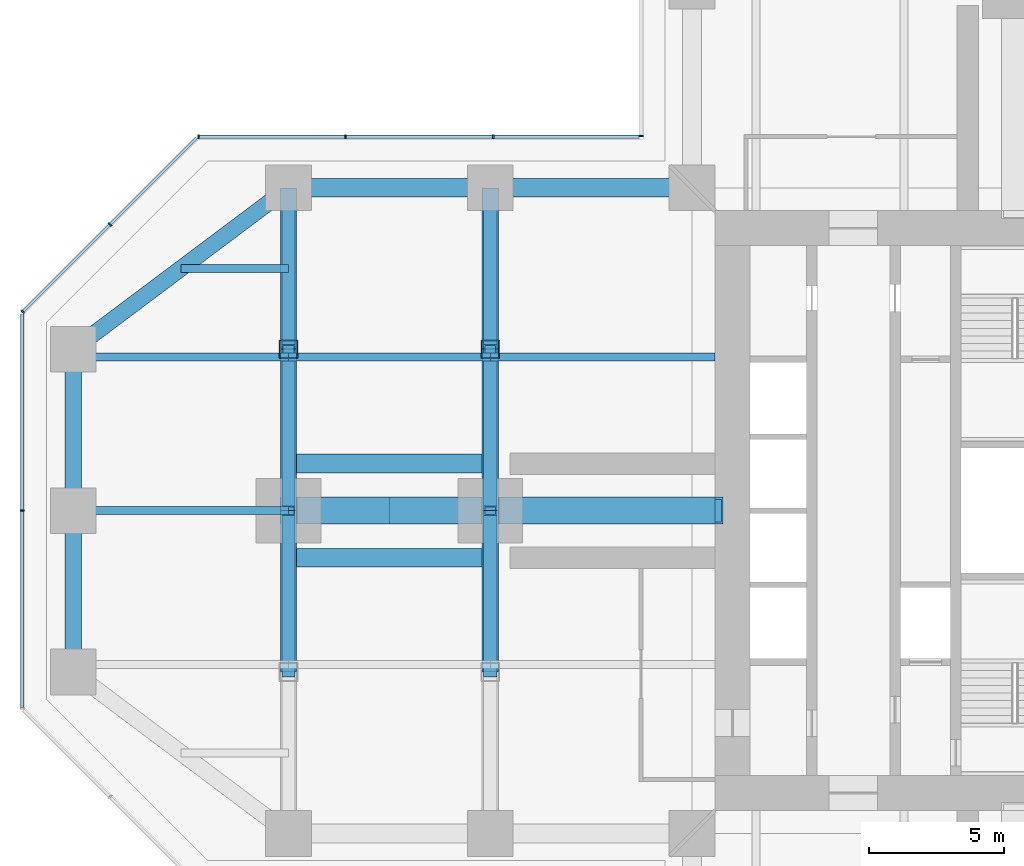
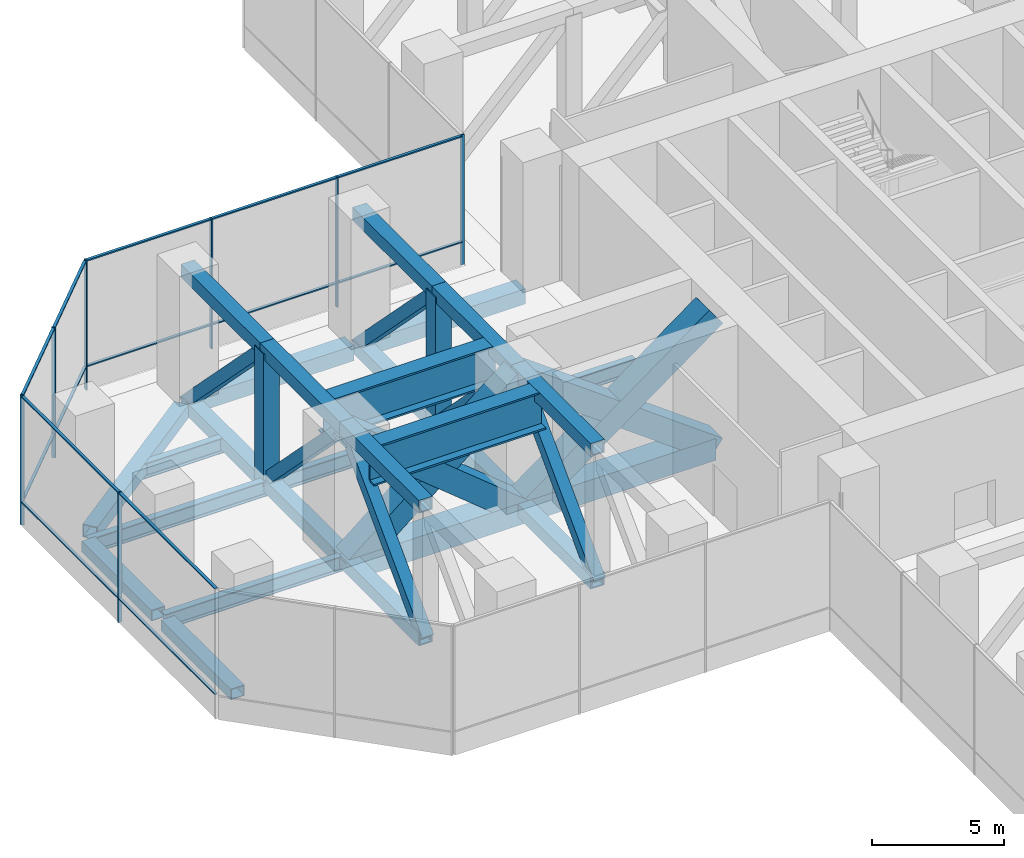
# One storey, part 6 of 19: 45 members, 14 beams, 4 elements without a shape of their own.
"""IFC4 building model written with IfcOpenShell, lengths in metres."""

import ifcopenshell
import ifcopenshell.guid

model = None  # the IFC model being written
_history = None  # IfcOwnerHistory: only IFC2X3 demands one
_inside = {}  # id of a spatial element -> (the spatial element, [elements in it])
_under = {}  # id of a project, library or spatial element -> (it, [spatial elements below it])
_declared = {}  # id of a project -> (the project, [libraries it declares])
_typed = {}  # id of a type object -> (the type object, [elements of that type])
_made_of = {}  # id of a material, layer set ... -> (it, [elements and type objects made of it])


def new_model(schema):
    """Start an empty IFC model of exactly this schema.

    Asked for "IFC4X3", IfcOpenShell would pick the latest addendum, in which some entities
    have other attributes; the version numbers below select the first issue.
    IFC2X3 requires an IfcOwnerHistory on every rooted entity: one is made here for all.
    """
    global model, _history
    if schema == "IFC4X3":
        model = ifcopenshell.file(schema_version=(4, 3, 0, 0))
    else:
        model = ifcopenshell.file(schema=schema)
    _inside.clear()
    _under.clear()
    _declared.clear()
    _typed.clear()
    _made_of.clear()
    _history = None
    if model.schema == "IFC2X3":
        org = make("IfcOrganization", Name="unknown")
        user = make(
            "IfcPersonAndOrganization",
            ThePerson=make("IfcPerson", FamilyName="unknown"),
            TheOrganization=org,
        )
        app = make(
            "IfcApplication",
            ApplicationDeveloper=org,
            Version="unknown",
            ApplicationFullName="unknown",
            ApplicationIdentifier="unknown",
        )
        _history = make(
            "IfcOwnerHistory",
            OwningUser=user,
            OwningApplication=app,
            ChangeAction="ADDED",
            CreationDate=0,
        )
    return model


def make(cls, **values):
    """One entity of the class cls with the attributes given. An attribute that is None is left unset."""
    return model.create_entity(
        cls, **{name: value for name, value in values.items() if value is not None}
    )


def rooted(cls, **values):
    """An entity with a GlobalId (a new one), such as an element, a storey or a relation."""
    return make(cls, GlobalId=ifcopenshell.guid.new(), OwnerHistory=_history, **values)


def si_unit(unit_type, name, prefix=None):
    """IfcSIUnit, for example si_unit("LENGTHUNIT", "METRE", prefix="MILLI")."""
    return make("IfcSIUnit", UnitType=unit_type, Prefix=prefix, Name=name)


def assignment(units):
    """IfcUnitAssignment: the units of a project."""
    return None if units is None else make("IfcUnitAssignment", Units=units)


def point(xyz):
    """IfcCartesianPoint."""
    return None if xyz is None else make("IfcCartesianPoint", Coordinates=xyz)


def direction(xyz):
    """IfcDirection."""
    return None if xyz is None else make("IfcDirection", DirectionRatios=xyz)


def frame(location, z_axis=None, x_axis=None):
    """IfcAxis2Placement3D, a coordinate frame: its origin and axes. An axis left out is left unset."""
    return make(
        "IfcAxis2Placement3D",
        Location=point(location),
        Axis=direction(z_axis),
        RefDirection=direction(x_axis),
    )


def frame_2d(location, x_axis=None):
    """IfcAxis2Placement2D, a coordinate frame in the plane: its origin and x axis."""
    return make(
        "IfcAxis2Placement2D", Location=point(location), RefDirection=direction(x_axis)
    )


def origin():
    """The frame at (0, 0, 0) with its axes left unset."""
    return frame((0.0, 0.0, 0.0))


def origin_2d():
    """The frame at (0, 0) in the plane with its x axis left unset."""
    return frame_2d((0.0, 0.0))


def place(relative_to, where):
    """IfcLocalPlacement: puts the frame where relative to a parent placement (None: the world)."""
    return make(
        "IfcLocalPlacement", PlacementRelTo=relative_to, RelativePlacement=where
    )


def context(
    kind, dimensions, precision=None, world=None, true_north=None, identifier=None
):
    """IfcGeometricRepresentationContext, for example the 3D "Model" context."""
    return make(
        "IfcGeometricRepresentationContext",
        ContextIdentifier=identifier,
        ContextType=kind,
        CoordinateSpaceDimension=dimensions,
        Precision=precision,
        WorldCoordinateSystem=world,
        TrueNorth=true_north,
    )


def subcontext(parent, identifier, kind, view, scale=None):
    """IfcGeometricRepresentationSubContext, for example "Body" below "Model"."""
    return make(
        "IfcGeometricRepresentationSubContext",
        ContextIdentifier=identifier,
        ContextType=kind,
        ParentContext=parent,
        TargetScale=scale,
        TargetView=view,
    )


def project(units=None, contexts=None):
    """IfcProject with its units and contexts."""
    return rooted(
        "IfcProject",
        Name="project",
        RepresentationContexts=contexts,
        UnitsInContext=assignment(units),
    )


def spatial(cls, under=None, at=None, **own):
    """A site, building, storey or space (cls), placed at a placement, below another one or the project."""
    s = rooted(cls, ObjectPlacement=at, **own)
    if under is not None:
        _under.setdefault(under.id(), (under, []))[1].append(s)
    return s


def profile(cls, at=None, kind="AREA", **sizes):
    """A parametric profile (cls). Its sizes go by their IFC names, for example OverallWidth=200.0."""
    return make(cls, ProfileType=kind, Position=at, **sizes)


def rectangle(**sizes):
    """IfcRectangleProfileDef."""
    return profile("IfcRectangleProfileDef", **sizes)


def hollow_rectangle(**sizes):
    """IfcRectangleHollowProfileDef."""
    return profile("IfcRectangleHollowProfileDef", **sizes)


def i_section(**sizes):
    """IfcIShapeProfileDef."""
    return profile("IfcIShapeProfileDef", **sizes)


def extrude(swept, where, along, depth):
    """IfcExtrudedAreaSolid: the profile swept, set in the frame where, extruded along a direction by depth."""
    return make(
        "IfcExtrudedAreaSolid",
        SweptArea=swept,
        Position=where,
        ExtrudedDirection=direction(along),
        Depth=depth,
    )


def shape(context_of_items, identifier, shape_type, items):
    """IfcShapeRepresentation: the items that make up one representation, for example the "Body"."""
    return make(
        "IfcShapeRepresentation",
        ContextOfItems=context_of_items,
        RepresentationIdentifier=identifier,
        RepresentationType=shape_type,
        Items=items,
    )


def material(Name=None, Category=None):
    """IfcMaterial."""
    return make("IfcMaterial", Name=Name, Category=Category)


def material_profile(
    of_material, cross_section, Name=None, Category=None, Priority=None
):
    """IfcMaterialProfile: a cross section and its material."""
    return make(
        "IfcMaterialProfile",
        Name=Name,
        Material=of_material,
        Profile=cross_section,
        Priority=Priority,
        Category=Category,
    )


def profile_set(profiles, Name=None, composite=None):
    """IfcMaterialProfileSet."""
    return make(
        "IfcMaterialProfileSet",
        Name=Name,
        MaterialProfiles=profiles,
        CompositeProfile=composite,
    )


def made_of(thing, what):
    """Note that an element or type object is made of a material, layer set ...; save() writes the relation."""
    if what is not None:
        _made_of.setdefault(what.id(), (what, []))[1].append(thing)
    return thing


def type_object(cls, material=None, **own):
    """A type object (cls), such as IfcWallType, which elements share."""
    return made_of(rooted(cls, **own), material)


def element(
    cls,
    number,
    at=None,
    inside=None,
    cuts=None,
    type_object=None,
    material=None,
    context=None,
    identifier="Body",
    shape_type=None,
    held_by="IfcProductDefinitionShape",
    body=None,
    shapes=None,
    **own,
):
    """One element of the class cls, such as IfcWall. Its Tag is "e" and its number.

    at: its placement. inside: the storey or other place that contains it. cuts: it is an
    opening in that element (IfcRelVoidsElement). A single representation is given by context,
    identifier, shape_type and body (its items); several are given by shapes. held_by: the class
    of the entity that holds the representations. save() writes the other relations.
    """
    e = rooted(cls, Tag="e%d" % number, ObjectPlacement=at, **own)
    if body is not None:
        shapes = [shape(context, identifier, shape_type, body)]
    if shapes is not None:
        e.Representation = make(held_by, Representations=shapes)
    if inside is not None:
        _inside.setdefault(inside.id(), (inside, []))[1].append(e)
    if cuts is not None:
        rooted(
            "IfcRelVoidsElement", RelatingBuildingElement=cuts, RelatedOpeningElement=e
        )
    if type_object is not None:
        _typed.setdefault(type_object.id(), (type_object, []))[1].append(e)
    return made_of(e, material)


def aggregate(whole, parts):
    """IfcRelAggregates: a whole, such as a stair, and the parts it consists of."""
    return rooted("IfcRelAggregates", RelatingObject=whole, RelatedObjects=parts)


def save(model, path):
    """Write the relations noted so far, then the file.

    IfcRelAggregates (storeys below a building ...), IfcRelContainedInSpatialStructure (elements
    in a storey), IfcRelDefinesByType, IfcRelAssociatesMaterial and IfcRelDeclares: one each for
    every whole, place, type object, material and project.
    """
    for whole, parts in _under.values():
        aggregate(whole, parts)
    for where, things in _inside.values():
        rooted(
            "IfcRelContainedInSpatialStructure",
            RelatedElements=things,
            RelatingStructure=where,
        )
    for kind, things in _typed.values():
        rooted("IfcRelDefinesByType", RelatedObjects=things, RelatingType=kind)
    for what, things in _made_of.values():
        rooted("IfcRelAssociatesMaterial", RelatedObjects=things, RelatingMaterial=what)
    for by, libraries in _declared.values():
        rooted("IfcRelDeclares", RelatingContext=by, RelatedDefinitions=libraries)
    model.write(path)


model = new_model("IFC4")

# Units and contexts
model_context = context("Model", 3, precision=1e-05, world=origin(), true_north=direction((0.0, 1.0)))
body_context = subcontext(model_context, "Body", "Model", "MODEL_VIEW")
ifc_project = project(units=[si_unit("LENGTHUNIT", "METRE"), si_unit("AREAUNIT", "SQUARE_METRE"), si_unit("VOLUMEUNIT", "CUBIC_METRE"), si_unit("PLANEANGLEUNIT", "RADIAN"), si_unit("MASSUNIT", "GRAM", prefix="KILO")], contexts=[model_context])

# Site, building, storey
site_placement = place(None, origin())
site = spatial("IfcSite", under=ifc_project, at=site_placement, CompositionType="ELEMENT")
building_placement = place(site_placement, origin())
building = spatial("IfcBuilding", under=site, at=building_placement, Name="Mizan Broadcast Tower", CompositionType="ELEMENT")
storey_placement = place(building_placement, frame((0.0, 0.0, 37.5)))
storey = spatial("IfcBuildingStorey", under=building, at=storey_placement, Name="L06", CompositionType="ELEMENT", Elevation=37.5)

# Members
ifc_material_1 = material(Name="Steel S460", Category="steel")
ifc_material_profile_1 = material_profile(ifc_material_1, hollow_rectangle(XDim=0.60009765625, YDim=0.60009765625, WallThickness=0.06005859375, at=origin_2d()), Name="BOX 600x600x60")
ifc_profile_set_1 = profile_set([ifc_material_profile_1], Name="Steel S460")
member_type_1 = type_object("IfcMemberType", Name="BELT TRUSS BT1 CHORD BOX 600x600x60", PredefinedType="CHORD", material=ifc_profile_set_1)
for number, where, z_axis, x_axis, name in (
    (1, (-19.5, 12.0, -0.550048828125), (0.0, -1.0, 0.0), (1.0, 0.0, 0.0), "Belt truss BT1-W19 bottom chord 1"),
    (2, (-19.5, 12.0, 5.570068359375), (0.0, -1.0, 0.0), (1.0, 0.0, 0.0), "Belt truss BT1-W19 top chord 1"),
    (3, (-19.5, 6.0, -0.550048828125), (0.0, -1.0, 0.0), (1.0, 0.0, 0.0), "Belt truss BT1-W19 bottom chord 2"),
    (4, (-19.5, 6.0, 5.570068359375), (0.0, -1.0, 0.0), (1.0, 0.0, 0.0), "Belt truss BT1-W19 top chord 2"),
    (5, (-19.5, 0.0, -0.550048828125), (0.0, -1.0, 0.0), (1.0, 0.0, 0.0), "Belt truss BT1-W19 bottom chord 3"),
    (6, (-19.5, 0.0, 5.570068359375), (0.0, -1.0, 0.0), (1.0, 0.0, 0.0), "Belt truss BT1-W19 top chord 3"),
    (7, (-27.0, 12.0, -0.550048828125), (0.0, -1.0, 0.0), (1.0, 0.0, 0.0), "Belt truss BT1-W27 bottom chord 1"),
    (8, (-27.0, 12.0, 5.570068359375), (0.0, -1.0, 0.0), (1.0, 0.0, 0.0), "Belt truss BT1-W27 top chord 1"),
    (9, (-27.0, 6.0, -0.550048828125), (0.0, -1.0, 0.0), (1.0, 0.0, 0.0), "Belt truss BT1-W27 bottom chord 2"),
    (10, (-27.0, 6.0, 5.570068359375), (0.0, -1.0, 0.0), (1.0, 0.0, 0.0), "Belt truss BT1-W27 top chord 2"),
    (11, (-27.0, 0.0, -0.550048828125), (0.0, -1.0, 0.0), (1.0, 0.0, 0.0), "Belt truss BT1-W27 bottom chord 3"),
    (12, (-27.0, 0.0, 5.570068359375), (0.0, -1.0, 0.0), (1.0, 0.0, 0.0), "Belt truss BT1-W27 top chord 3"),
):
    element("IfcMember", number, at=place(storey_placement, frame(where, z_axis=z_axis, x_axis=x_axis)), inside=storey, type_object=member_type_1, Name=name, PredefinedType="CHORD", context=body_context, shape_type="SweptSolid", body=[
        extrude(hollow_rectangle(XDim=0.60009765625, YDim=0.60009765625, WallThickness=0.06005859375, at=origin_2d()), origin(), (0.0, 0.0, 1.0), 6.0),
    ])
ifc_material_2 = material(Name="Steel S460", Category="steel")
ifc_material_profile_2 = material_profile(ifc_material_2, hollow_rectangle(XDim=0.5, YDim=0.5, WallThickness=0.050048828125, at=origin_2d()), Name="BOX 500x500x50")
ifc_profile_set_2 = profile_set([ifc_material_profile_2], Name="Steel S460")
member_type_2 = type_object("IfcMemberType", Name="BELT TRUSS BT1 DIAGONAL BOX 500x500x50", PredefinedType="BRACE", material=ifc_profile_set_2)
for number, where, z_axis, x_axis, name in (
    (13, (-19.5, 12.0, -0.550048828125), (0.0, -0.700064575666, 0.714079540316), (1.0, 0.0, 0.0), "Belt truss BT1-W19 diagonal 1"),
    (14, (-19.5, 6.0, -0.550048828125), (0.0, -0.700064575666, 0.714079540316), (1.0, 0.0, 0.0), "Belt truss BT1-W19 diagonal 2"),
    (15, (-19.5, -6.0, -0.550048828125), (0.0, 0.700064575666, 0.714079540316), (-1.0, 0.0, 0.0), "Belt truss BT1-W19 diagonal 3"),
    (16, (-27.0, 12.0, -0.550048828125), (0.0, -0.700064575666, 0.714079540316), (1.0, 0.0, 0.0), "Belt truss BT1-W27 diagonal 1"),
    (17, (-27.0, 6.0, -0.550048828125), (0.0, -0.700064575666, 0.714079540316), (1.0, 0.0, 0.0), "Belt truss BT1-W27 diagonal 2"),
    (18, (-27.0, -6.0, -0.550048828125), (0.0, 0.700064575666, 0.714079540316), (-1.0, 0.0, 0.0), "Belt truss BT1-W27 diagonal 3"),
):
    element("IfcMember", number, at=place(storey_placement, frame(where, z_axis=z_axis, x_axis=x_axis)), inside=storey, type_object=member_type_2, Name=name, PredefinedType="BRACE", context=body_context, shape_type="SweptSolid", body=[
        extrude(hollow_rectangle(XDim=0.5, YDim=0.5, WallThickness=0.050048828125, at=origin_2d()), origin(), (0.0, 0.0, 1.0), 8.570556640625),
    ])
ifc_material_3 = material(Name="Steel S460", Category="steel")
ifc_material_profile_3 = material_profile(ifc_material_3, hollow_rectangle(XDim=0.699951171875, YDim=0.699951171875, WallThickness=0.0400390625, at=origin_2d()), Name="BOX 700x700x40")
ifc_profile_set_3 = profile_set([ifc_material_profile_3], Name="Steel S460")
member_type_3 = type_object("IfcMemberType", Name="BELT TRUSS BT1 POST BOX 700x700x40", PredefinedType="POST", material=ifc_profile_set_3)
for number, where, z_axis, x_axis, name in (
    (19, (-19.5, 6.0, -0.550048828125), (0.0, 0.0, 1.0), (1.0, 0.0, 0.0), "Belt truss BT1-W19 post 1"),
    (20, (-27.0, 6.0, -0.550048828125), (0.0, 0.0, 1.0), (1.0, 0.0, 0.0), "Belt truss BT1-W27 post 1"),
):
    element("IfcMember", number, at=place(storey_placement, frame(where, z_axis=z_axis, x_axis=x_axis)), inside=storey, type_object=member_type_3, Name=name, PredefinedType="POST", context=body_context, shape_type="SweptSolid", body=[
        extrude(hollow_rectangle(XDim=0.699951171875, YDim=0.699951171875, WallThickness=0.0400390625, at=origin_2d()), origin(), (0.0, 0.0, 1.0), 6.1201171875),
    ])

# Beams
ifc_material_4 = material(Name="Steel S355", Category="steel")
ifc_material_profile_4 = material_profile(ifc_material_4, hollow_rectangle(XDim=0.60009765625, YDim=0.5, WallThickness=0.030029296875, at=origin_2d()), Name="BOX 500x600x30")
ifc_profile_set_4 = profile_set([ifc_material_profile_4], Name="Steel S355")
beam_type_1 = type_object("IfcBeamType", Name="EDGE BEAM BOX 500x600x30", PredefinedType="SPANDREL", material=ifc_profile_set_4)
for number, where, z_axis, x_axis, name in (
    (21, (-35.0, 5.639892578125, -0.5), (0.0, -1.0, 0.0), (1.0, 0.0, 0.0), "Edge beam BOX 500x600x30 L06 west arm"),
    (22, (-35.0, -5.639892578125, -0.5), (0.0, 1.0, 0.0), (-1.0, 0.0, 0.0), "Edge beam BOX 500x600x30 L06 west arm"),
):
    element("IfcBeam", number, at=place(storey_placement, frame(where, z_axis=z_axis, x_axis=x_axis)), inside=storey, type_object=beam_type_1, Name=name, PredefinedType="SPANDREL", context=body_context, shape_type="SweptSolid", body=[
        extrude(hollow_rectangle(XDim=0.60009765625, YDim=0.5, WallThickness=0.030029296875, at=origin_2d()), origin(), (0.0, 0.0, 1.0), 5.27978515625),
    ])
ifc_material_5 = material(Name="Steel S355", Category="steel")
ifc_material_profile_5 = material_profile(ifc_material_5, hollow_rectangle(XDim=0.60009765625, YDim=0.60009765625, WallThickness=0.030029296875, at=origin_2d()), Name="BOX 600x600x30")
ifc_profile_set_5 = profile_set([ifc_material_profile_5], Name="Steel S355")
beam_type_2 = type_object("IfcBeamType", Name="EDGE BEAM BOX 600x600x30", PredefinedType="SPANDREL", material=ifc_profile_set_5)
beam_1_placement = place(storey_placement, frame((-27.47998046875, 11.639892578125, -0.550048828125), z_axis=(-0.800013316712, -0.599982243973, 0.0), x_axis=(0.599982243973, -0.800013316712, 0.0)))
element("IfcBeam", 23, at=beam_1_placement, inside=storey, type_object=beam_type_2, Name="Edge beam BOX 600x600x30 L06 west arm", PredefinedType="SPANDREL", context=body_context, shape_type="SweptSolid", body=[
    extrude(hollow_rectangle(XDim=0.60009765625, YDim=0.60009765625, WallThickness=0.030029296875, at=origin_2d()), origin(), (0.0, 0.0, 1.0), 8.7998046875),
])
ifc_material_6 = material(Name="Steel S355", Category="steel")
ifc_material_profile_6 = material_profile(ifc_material_6, hollow_rectangle(XDim=0.699951171875, YDim=0.699951171875, WallThickness=0.0400390625, at=origin_2d()), Name="BOX 700x700x40")
ifc_profile_set_6 = profile_set([ifc_material_profile_6], Name="Steel S355")
beam_type_3 = type_object("IfcBeamType", Name="EDGE BEAM BOX 700x700x40", PredefinedType="SPANDREL", material=ifc_profile_set_6)
for number, where, z_axis, x_axis, name in (
    (24, (-12.449951171875, 12.0, -0.60009765625), (-1.0, 0.0, 0.0), (0.0, -1.0, 0.0), "Edge beam BOX 700x700x40 L06 west arm"),
    (25, (-19.949951171875, 12.0, -0.60009765625), (-1.0, 0.0, 0.0), (0.0, -1.0, 0.0), "Edge beam BOX 700x700x40 L06 west arm"),
):
    element("IfcBeam", number, at=place(storey_placement, frame(where, z_axis=z_axis, x_axis=x_axis)), inside=storey, type_object=beam_type_3, Name=name, PredefinedType="SPANDREL", context=body_context, shape_type="SweptSolid", body=[
        extrude(hollow_rectangle(XDim=0.699951171875, YDim=0.699951171875, WallThickness=0.0400390625, at=origin_2d()), origin(), (0.0, 0.0, 1.0), 6.60009765625),
    ])

# Curtain wall, member
ifc_material_7 = material(Name="Aluminium framed glazing", Category="aluminium")
curtain_wall_type = type_object("IfcCurtainWallType", Name="PLANT LOUVRE", PredefinedType="USERDEFINED", material=ifc_material_7)
curtain_wall_1_placement = place(storey_placement, origin())
curtain_wall_1 = element("IfcCurtainWall", 26, at=curtain_wall_1_placement, inside=storey, type_object=curtain_wall_type, Name="Plant louvre L06 N side", ObjectType="PLANT LOUVRE", PredefinedType="USERDEFINED")
ifc_material_8 = material(Name="Aluminium, pale anodised", Category="aluminium")
ifc_material_profile_7 = material_profile(ifc_material_8, rectangle(XDim=0.159912109375, YDim=0.06005859375, at=origin_2d()), Name="MULLION 160x60")
ifc_profile_set_7 = profile_set([ifc_material_profile_7], Name="Aluminium, pale anodised")
member_type_4 = type_object("IfcMemberType", Name="INNER SKIN MULLION 60x160", PredefinedType="MULLION", material=ifc_profile_set_7)
member_1_placement = place(storey_placement, frame((-13.89990234375, 13.929931640625, 0.0), z_axis=(0.0, 0.0, 1.0), x_axis=(1.0, 0.0, 0.0)))
member_1 = element("IfcMember", 27, at=member_1_placement, type_object=member_type_4, Name="Plant louvre L06 N side mullion 4", PredefinedType="MULLION", context=body_context, shape_type="SweptSolid", body=[
    extrude(rectangle(XDim=0.159912109375, YDim=0.06005859375, at=origin_2d()), origin(), (0.0, 0.0, 1.0), 6.0),
])
aggregate(curtain_wall_1, [member_1])

# Curtain wall, members
curtain_wall_2_placement = place(storey_placement, origin())
curtain_wall_2 = element("IfcCurtainWall", 28, at=curtain_wall_2_placement, inside=storey, type_object=curtain_wall_type, Name="Plant louvre L06 W side", ObjectType="PLANT LOUVRE", PredefinedType="USERDEFINED")
member_2_placement = place(storey_placement, frame((-19.390869140625, 13.89990234375, 0.0), z_axis=(0.0, 0.0, 1.0), x_axis=(0.0, -1.0, 0.0)))
member_2 = element("IfcMember", 29, at=member_2_placement, type_object=member_type_4, Name="Plant louvre L06 W side mullion 2", PredefinedType="MULLION", context=body_context, shape_type="SweptSolid", body=[
    extrude(rectangle(XDim=0.159912109375, YDim=0.06005859375, at=origin_2d()), origin(), (0.0, 0.0, 1.0), 6.0),
])
member_3_placement = place(storey_placement, frame((-24.8818359375, 13.89990234375, 0.0), z_axis=(0.0, 0.0, 1.0), x_axis=(0.0, -1.0, 0.0)))
member_3 = element("IfcMember", 30, at=member_3_placement, type_object=member_type_4, Name="Plant louvre L06 W side mullion 3", PredefinedType="MULLION", context=body_context, shape_type="SweptSolid", body=[
    extrude(rectangle(XDim=0.159912109375, YDim=0.06005859375, at=origin_2d()), origin(), (0.0, 0.0, 1.0), 6.0),
])
member_4_placement = place(storey_placement, frame((-30.3427734375, 13.89990234375, 0.0), z_axis=(0.0, 0.0, 1.0), x_axis=(0.0, -1.0, 0.0)))
member_4 = element("IfcMember", 31, at=member_4_placement, type_object=member_type_4, Name="Plant louvre L06 W side mullion 4", PredefinedType="MULLION", context=body_context, shape_type="SweptSolid", body=[
    extrude(rectangle(XDim=0.159912109375, YDim=0.06005859375, at=origin_2d()), origin(), (0.0, 0.0, 1.0), 6.0),
])

curtain_wall_3_placement = place(storey_placement, origin())
curtain_wall_3 = element("IfcCurtainWall", 32, at=curtain_wall_3_placement, inside=storey, type_object=curtain_wall_type, Name="Plant louvre L06 W chamfer", ObjectType="PLANT LOUVRE", PredefinedType="USERDEFINED")
member_5_placement = place(storey_placement, frame((-33.636474609375, 10.636474609375, 0.0), z_axis=(0.0, 0.0, 1.0), x_axis=(0.707106781187, -0.707106781187, 0.0)))
member_5 = element("IfcMember", 33, at=member_5_placement, type_object=member_type_4, Name="Plant louvre L06 W chamfer mullion 2", PredefinedType="MULLION", context=body_context, shape_type="SweptSolid", body=[
    extrude(rectangle(XDim=0.159912109375, YDim=0.06005859375, at=origin_2d()), origin(), (0.0, 0.0, 1.0), 6.0),
])
member_6_placement = place(storey_placement, frame((-36.87890625, 7.39404296875, 0.0), z_axis=(0.0, 0.0, 1.0), x_axis=(0.707106781187, -0.707106781187, 0.0)))
member_6 = element("IfcMember", 34, at=member_6_placement, type_object=member_type_4, Name="Plant louvre L06 W chamfer mullion 3", PredefinedType="MULLION", context=body_context, shape_type="SweptSolid", body=[
    extrude(rectangle(XDim=0.159912109375, YDim=0.06005859375, at=origin_2d()), origin(), (0.0, 0.0, 1.0), 6.0),
])

# Curtain wall, member
curtain_wall_4_placement = place(storey_placement, origin())
curtain_wall_4 = element("IfcCurtainWall", 35, at=curtain_wall_4_placement, inside=storey, type_object=curtain_wall_type, Name="Plant louvre L06 W end", ObjectType="PLANT LOUVRE", PredefinedType="USERDEFINED")
member_7_placement = place(storey_placement, frame((-36.89990234375, 0.0, 0.0), z_axis=(0.0, 0.0, 1.0), x_axis=(1.0, 0.0, 0.0)))
member_7 = element("IfcMember", 36, at=member_7_placement, type_object=member_type_4, Name="Plant louvre L06 W end mullion 2", PredefinedType="MULLION", context=body_context, shape_type="SweptSolid", body=[
    extrude(rectangle(XDim=0.159912109375, YDim=0.06005859375, at=origin_2d()), origin(), (0.0, 0.0, 1.0), 6.0),
])

# Member
ifc_material_9 = material(Name="Aluminium, pale anodised", Category="aluminium")
ifc_material_profile_8 = material_profile(ifc_material_9, rectangle(XDim=0.1201171875, YDim=0.06005859375, at=origin_2d()), Name="TRANSOM 120x60")
ifc_profile_set_8 = profile_set([ifc_material_profile_8], Name="Aluminium, pale anodised")
member_type_5 = type_object("IfcMemberType", Name="INNER SKIN TRANSOM 60x120", PredefinedType="USERDEFINED", material=ifc_profile_set_8)
member_8_placement = place(storey_placement, frame((-13.9599609375, 13.89990234375, 1.10009765625), z_axis=(-1.0, 0.0, 0.0), x_axis=(0.0, -1.0, 0.0)))
member_8 = element("IfcMember", 37, at=member_8_placement, type_object=member_type_5, Name="Plant louvre L06 W side transom 1.1", ObjectType="TRANSOM", PredefinedType="USERDEFINED", context=body_context, shape_type="SweptSolid", body=[
    extrude(rectangle(XDim=0.1201171875, YDim=0.06005859375, at=origin_2d()), origin(), (0.0, 0.0, 1.0), 5.40087890625),
])

member_9_placement = place(storey_placement, frame((-13.9599609375, 13.89990234375, 5.969970703125), z_axis=(-1.0, 0.0, 0.0), x_axis=(0.0, -1.0, 0.0)))
member_9 = element("IfcMember", 38, at=member_9_placement, type_object=member_type_5, Name="Plant louvre L06 W side transom 1.2", ObjectType="TRANSOM", PredefinedType="USERDEFINED", context=body_context, shape_type="SweptSolid", body=[
    extrude(rectangle(XDim=0.1201171875, YDim=0.06005859375, at=origin_2d()), origin(), (0.0, 0.0, 1.0), 5.40087890625),
])

member_10_placement = place(storey_placement, frame((-19.4208984375, 13.89990234375, 1.10009765625), z_axis=(-1.0, 0.0, 0.0), x_axis=(0.0, -1.0, 0.0)))
member_10 = element("IfcMember", 39, at=member_10_placement, type_object=member_type_5, Name="Plant louvre L06 W side transom 2.1", ObjectType="TRANSOM", PredefinedType="USERDEFINED", context=body_context, shape_type="SweptSolid", body=[
    extrude(rectangle(XDim=0.1201171875, YDim=0.06005859375, at=origin_2d()), origin(), (0.0, 0.0, 1.0), 5.430908203125),
])

member_11_placement = place(storey_placement, frame((-19.4208984375, 13.89990234375, 5.969970703125), z_axis=(-1.0, 0.0, 0.0), x_axis=(0.0, -1.0, 0.0)))
member_11 = element("IfcMember", 40, at=member_11_placement, type_object=member_type_5, Name="Plant louvre L06 W side transom 2.2", ObjectType="TRANSOM", PredefinedType="USERDEFINED", context=body_context, shape_type="SweptSolid", body=[
    extrude(rectangle(XDim=0.1201171875, YDim=0.06005859375, at=origin_2d()), origin(), (0.0, 0.0, 1.0), 5.430908203125),
])

member_12_placement = place(storey_placement, frame((-24.911865234375, 13.89990234375, 1.10009765625), z_axis=(-1.0, 0.0, 0.0), x_axis=(0.0, -1.0, 0.0)))
member_12 = element("IfcMember", 41, at=member_12_placement, type_object=member_type_5, Name="Plant louvre L06 W side transom 3.1", ObjectType="TRANSOM", PredefinedType="USERDEFINED", context=body_context, shape_type="SweptSolid", body=[
    extrude(rectangle(XDim=0.1201171875, YDim=0.06005859375, at=origin_2d()), origin(), (0.0, 0.0, 1.0), 5.40087890625),
])

member_13_placement = place(storey_placement, frame((-24.911865234375, 13.89990234375, 5.969970703125), z_axis=(-1.0, 0.0, 0.0), x_axis=(0.0, -1.0, 0.0)))
member_13 = element("IfcMember", 42, at=member_13_placement, type_object=member_type_5, Name="Plant louvre L06 W side transom 3.2", ObjectType="TRANSOM", PredefinedType="USERDEFINED", context=body_context, shape_type="SweptSolid", body=[
    extrude(rectangle(XDim=0.1201171875, YDim=0.06005859375, at=origin_2d()), origin(), (0.0, 0.0, 1.0), 5.40087890625),
])

aggregate(curtain_wall_2, [member_2, member_3, member_4, member_8, member_9, member_10, member_11, member_12, member_13])

member_14_placement = place(storey_placement, frame((-30.415283203125, 13.857666015625, 1.10009765625), z_axis=(-0.707106781187, -0.707106781187, 0.0), x_axis=(0.707106781187, -0.707106781187, 0.0)))
member_14 = element("IfcMember", 43, at=member_14_placement, type_object=member_type_5, Name="Plant louvre L06 W chamfer transom 1.1", ObjectType="TRANSOM", PredefinedType="USERDEFINED", context=body_context, shape_type="SweptSolid", body=[
    extrude(rectangle(XDim=0.1201171875, YDim=0.06005859375, at=origin_2d()), origin(), (0.0, 0.0, 1.0), 4.525390625),
])

member_15_placement = place(storey_placement, frame((-30.415283203125, 13.857666015625, 5.969970703125), z_axis=(-0.707106781187, -0.707106781187, 0.0), x_axis=(0.707106781187, -0.707106781187, 0.0)))
member_15 = element("IfcMember", 44, at=member_15_placement, type_object=member_type_5, Name="Plant louvre L06 W chamfer transom 1.2", ObjectType="TRANSOM", PredefinedType="USERDEFINED", context=body_context, shape_type="SweptSolid", body=[
    extrude(rectangle(XDim=0.1201171875, YDim=0.06005859375, at=origin_2d()), origin(), (0.0, 0.0, 1.0), 4.525390625),
])

member_16_placement = place(storey_placement, frame((-33.65771484375, 10.615234375, 1.10009765625), z_axis=(-0.707106781187, -0.707106781187, 0.0), x_axis=(0.707106781187, -0.707106781187, 0.0)))
member_16 = element("IfcMember", 45, at=member_16_placement, type_object=member_type_5, Name="Plant louvre L06 W chamfer transom 2.1", ObjectType="TRANSOM", PredefinedType="USERDEFINED", context=body_context, shape_type="SweptSolid", body=[
    extrude(rectangle(XDim=0.1201171875, YDim=0.06005859375, at=origin_2d()), origin(), (0.0, 0.0, 1.0), 4.525390625),
])

member_17_placement = place(storey_placement, frame((-33.65771484375, 10.615234375, 5.969970703125), z_axis=(-0.707106781187, -0.707106781187, 0.0), x_axis=(0.707106781187, -0.707106781187, 0.0)))
member_17 = element("IfcMember", 46, at=member_17_placement, type_object=member_type_5, Name="Plant louvre L06 W chamfer transom 2.2", ObjectType="TRANSOM", PredefinedType="USERDEFINED", context=body_context, shape_type="SweptSolid", body=[
    extrude(rectangle(XDim=0.1201171875, YDim=0.06005859375, at=origin_2d()), origin(), (0.0, 0.0, 1.0), 4.525390625),
])

aggregate(curtain_wall_3, [member_5, member_6, member_14, member_15, member_16, member_17])

member_18_placement = place(storey_placement, frame((-36.89990234375, 7.312744140625, 1.10009765625), z_axis=(0.0, -1.0, 0.0), x_axis=(1.0, 0.0, 0.0)))
member_18 = element("IfcMember", 47, at=member_18_placement, type_object=member_type_5, Name="Plant louvre L06 W end transom 1.1", ObjectType="TRANSOM", PredefinedType="USERDEFINED", context=body_context, shape_type="SweptSolid", body=[
    extrude(rectangle(XDim=0.1201171875, YDim=0.06005859375, at=origin_2d()), origin(), (0.0, 0.0, 1.0), 7.28271484375),
])

member_19_placement = place(storey_placement, frame((-36.89990234375, 7.312744140625, 5.969970703125), z_axis=(0.0, -1.0, 0.0), x_axis=(1.0, 0.0, 0.0)))
member_19 = element("IfcMember", 48, at=member_19_placement, type_object=member_type_5, Name="Plant louvre L06 W end transom 1.2", ObjectType="TRANSOM", PredefinedType="USERDEFINED", context=body_context, shape_type="SweptSolid", body=[
    extrude(rectangle(XDim=0.1201171875, YDim=0.06005859375, at=origin_2d()), origin(), (0.0, 0.0, 1.0), 7.28271484375),
])

member_20_placement = place(storey_placement, frame((-36.89990234375, -0.030029296875, 1.10009765625), z_axis=(0.0, -1.0, 0.0), x_axis=(1.0, 0.0, 0.0)))
member_20 = element("IfcMember", 49, at=member_20_placement, type_object=member_type_5, Name="Plant louvre L06 W end transom 2.1", ObjectType="TRANSOM", PredefinedType="USERDEFINED", context=body_context, shape_type="SweptSolid", body=[
    extrude(rectangle(XDim=0.1201171875, YDim=0.06005859375, at=origin_2d()), origin(), (0.0, 0.0, 1.0), 7.28271484375),
])

member_21_placement = place(storey_placement, frame((-36.89990234375, -0.030029296875, 5.969970703125), z_axis=(0.0, -1.0, 0.0), x_axis=(1.0, 0.0, 0.0)))
member_21 = element("IfcMember", 50, at=member_21_placement, type_object=member_type_5, Name="Plant louvre L06 W end transom 2.2", ObjectType="TRANSOM", PredefinedType="USERDEFINED", context=body_context, shape_type="SweptSolid", body=[
    extrude(rectangle(XDim=0.1201171875, YDim=0.06005859375, at=origin_2d()), origin(), (0.0, 0.0, 1.0), 7.28271484375),
])

aggregate(curtain_wall_4, [member_7, member_18, member_19, member_20, member_21])

# Beams
ifc_material_10 = material(Name="Steel S460", Category="steel")
ifc_material_profile_9 = material_profile(ifc_material_10, hollow_rectangle(XDim=1.0, YDim=1.0, WallThickness=0.080078125, at=origin_2d()), Name="BOX 1000x1000x80")
ifc_profile_set_9 = profile_set([ifc_material_profile_9], Name="Steel S460")
beam_type_4 = type_object("IfcBeamType", Name="OUTRIGGER TRUSS OT1 CHORD BOX 1000x1000x80", PredefinedType="BEAM", material=ifc_profile_set_9)
beam_2_placement = place(storey_placement, frame((-11.14990234375, 0.0, -0.75), z_axis=(-1.0, 0.0, 0.0), x_axis=(0.0, -1.0, 0.0)))
element("IfcBeam", 51, at=beam_2_placement, inside=storey, type_object=beam_type_4, Name="Outrigger truss OT1-W bottom chord 1", PredefinedType="BEAM", context=body_context, shape_type="SweptSolid", body=[
    extrude(hollow_rectangle(XDim=1.0, YDim=1.0, WallThickness=0.080078125, at=origin_2d()), origin(), (0.0, 0.0, 1.0), 8.35009765625),
])
beam_3_placement = place(storey_placement, frame((-19.5, 0.0, -0.75), z_axis=(-1.0, 0.0, 0.0), x_axis=(0.0, -1.0, 0.0)))
element("IfcBeam", 52, at=beam_3_placement, inside=storey, type_object=beam_type_4, Name="Outrigger truss OT1-W bottom chord 2", PredefinedType="BEAM", context=body_context, shape_type="SweptSolid", body=[
    extrude(hollow_rectangle(XDim=1.0, YDim=1.0, WallThickness=0.080078125, at=origin_2d()), origin(), (0.0, 0.0, 1.0), 7.5),
])

# Members
ifc_material_11 = material(Name="Steel S460", Category="steel")
ifc_material_profile_10 = material_profile(ifc_material_11, hollow_rectangle(XDim=1.0, YDim=1.0, WallThickness=0.080078125, at=origin_2d()), Name="BOX 1000x1000x80")
ifc_profile_set_10 = profile_set([ifc_material_profile_10], Name="Steel S460")
member_type_6 = type_object("IfcMemberType", Name="OUTRIGGER TRUSS OT1 DIAGONAL BOX 1000x1000x80", PredefinedType="BRACE", material=ifc_profile_set_10)
for number, where, z_axis, x_axis, name in (
    (53, (-11.14990234375, 0.0, -0.75), (-0.806556413109, 0.0, 0.591157130104), (0.0, -1.0, 0.0), "Outrigger truss OT1-W panel 1 diagonal 1"),
    (54, (-11.14990234375, 0.0, 5.3701171875), (-0.806556413109, 0.0, -0.591157130104), (0.0, -1.0, 0.0), "Outrigger truss OT1-W panel 1 diagonal 2"),
):
    element("IfcMember", number, at=place(storey_placement, frame(where, z_axis=z_axis, x_axis=x_axis)), inside=storey, type_object=member_type_6, Name=name, PredefinedType="BRACE", context=body_context, shape_type="SweptSolid", body=[
        extrude(hollow_rectangle(XDim=1.0, YDim=1.0, WallThickness=0.080078125, at=origin_2d()), origin(), (0.0, 0.0, 1.0), 10.352783203125),
    ])
for number, where, z_axis, x_axis, name in (
    (55, (-19.5, 0.0, -0.75), (-0.774779189922, 0.0, 0.632231924901), (0.0, -1.0, 0.0), "Outrigger truss OT1-W panel 2 diagonal 1"),
    (56, (-19.5, 0.0, 5.3701171875), (-0.774779189922, 0.0, -0.632231924901), (0.0, -1.0, 0.0), "Outrigger truss OT1-W panel 2 diagonal 2"),
):
    element("IfcMember", number, at=place(storey_placement, frame(where, z_axis=z_axis, x_axis=x_axis)), inside=storey, type_object=member_type_6, Name=name, PredefinedType="BRACE", context=body_context, shape_type="SweptSolid", body=[
        extrude(hollow_rectangle(XDim=1.0, YDim=1.0, WallThickness=0.080078125, at=origin_2d()), origin(), (0.0, 0.0, 1.0), 9.68017578125),
    ])

# Beams
ifc_material_12 = material(Name="Steel S355", Category="steel")
ifc_material_profile_11 = material_profile(ifc_material_12, i_section(OverallWidth=0.300048828125, OverallDepth=0.699951171875, WebThickness=0.01708984375, FlangeThickness=0.031982421875, FilletRadius=0.027099609375, at=origin_2d()), Name="HEB 700")
ifc_profile_set_11 = profile_set([ifc_material_profile_11], Name="Steel S355")
beam_type_5 = type_object("IfcBeamType", Name="SECONDARY BEAM HEB 700", PredefinedType="JOIST", material=ifc_profile_set_11)
beam_4_placement = place(storey_placement, frame((-11.14990234375, 5.71435546875, -0.60009765625), z_axis=(-1.0, 0.0, 0.0), x_axis=(0.0, -1.0, 0.0)))
element("IfcBeam", 57, at=beam_4_placement, inside=storey, type_object=beam_type_5, Name="Secondary beam HEB 700 L06 west arm", PredefinedType="JOIST", context=body_context, shape_type="SweptSolid", body=[
    extrude(i_section(OverallWidth=0.300048828125, OverallDepth=0.699951171875, WebThickness=0.01708984375, FlangeThickness=0.031982421875, FilletRadius=0.027099609375, at=origin_2d()), origin(), (0.0, 0.0, 1.0), 8.35009765625),
])
beam_5_placement = place(storey_placement, frame((-19.5, 5.71435546875, -0.60009765625), z_axis=(-1.0, 0.0, 0.0), x_axis=(0.0, -1.0, 0.0)))
element("IfcBeam", 58, at=beam_5_placement, inside=storey, type_object=beam_type_5, Name="Secondary beam HEB 700 L06 west arm", PredefinedType="JOIST", context=body_context, shape_type="SweptSolid", body=[
    extrude(i_section(OverallWidth=0.300048828125, OverallDepth=0.699951171875, WebThickness=0.01708984375, FlangeThickness=0.031982421875, FilletRadius=0.027099609375, at=origin_2d()), origin(), (0.0, 0.0, 1.0), 7.5),
])
beam_6_placement = place(storey_placement, frame((-27.0, 5.71435546875, -0.60009765625), z_axis=(-1.0, 0.0, 0.0), x_axis=(0.0, -1.0, 0.0)))
element("IfcBeam", 59, at=beam_6_placement, inside=storey, type_object=beam_type_5, Name="Secondary beam HEB 700 L06 west arm", PredefinedType="JOIST", context=body_context, shape_type="SweptSolid", body=[
    extrude(i_section(OverallWidth=0.300048828125, OverallDepth=0.699951171875, WebThickness=0.01708984375, FlangeThickness=0.031982421875, FilletRadius=0.027099609375, at=origin_2d()), origin(), (0.0, 0.0, 1.0), 8.0),
])
beam_7_placement = place(storey_placement, frame((-27.0, 9.0, -0.60009765625), z_axis=(-1.0, 0.0, 0.0), x_axis=(0.0, -1.0, 0.0)))
element("IfcBeam", 60, at=beam_7_placement, inside=storey, type_object=beam_type_5, Name="Secondary beam HEB 700 L06 west arm", PredefinedType="JOIST", context=body_context, shape_type="SweptSolid", body=[
    extrude(i_section(OverallWidth=0.300048828125, OverallDepth=0.699951171875, WebThickness=0.01708984375, FlangeThickness=0.031982421875, FilletRadius=0.027099609375, at=origin_2d()), origin(), (0.0, 0.0, 1.0), 4.0),
])
beam_8_placement = place(storey_placement, frame((-27.0, 0.0, -0.60009765625), z_axis=(-1.0, 0.0, 0.0), x_axis=(0.0, -1.0, 0.0)))
element("IfcBeam", 61, at=beam_8_placement, inside=storey, type_object=beam_type_5, Name="Secondary beam HEB 700 L06 west arm", PredefinedType="JOIST", context=body_context, shape_type="SweptSolid", body=[
    extrude(i_section(OverallWidth=0.300048828125, OverallDepth=0.699951171875, WebThickness=0.01708984375, FlangeThickness=0.031982421875, FilletRadius=0.027099609375, at=origin_2d()), origin(), (0.0, 0.0, 1.0), 8.0),
])
ifc_material_13 = material(Name="Steel S460", Category="steel")
ifc_material_profile_12 = material_profile(ifc_material_13, i_section(OverallWidth=0.699951171875, OverallDepth=1.800048828125, WebThickness=0.044921875, FlangeThickness=0.080078125, at=origin_2d()), Name="WPG 1800x700")
ifc_profile_set_12 = profile_set([ifc_material_profile_12], Name="Steel S460")
beam_type_6 = type_object("IfcBeamType", Name="SPINE TRANSFER GIRDER WPG 1800x700", PredefinedType="BEAM", material=ifc_profile_set_12)
for number, where, z_axis, x_axis, name in (
    (62, (-19.5, 1.75, 4.969970703125), (-1.0, 0.0, 0.0), (0.0, -1.0, 0.0), "Spine transfer girder WR L07"),
    (63, (-19.5, -1.75, 4.969970703125), (-1.0, 0.0, 0.0), (0.0, -1.0, 0.0), "Spine transfer girder WL L07"),
):
    element("IfcBeam", number, at=place(storey_placement, frame(where, z_axis=z_axis, x_axis=x_axis)), inside=storey, type_object=beam_type_6, Name=name, PredefinedType="BEAM", context=body_context, shape_type="SweptSolid", body=[
        extrude(i_section(OverallWidth=0.699951171875, OverallDepth=1.800048828125, WebThickness=0.044921875, FlangeThickness=0.080078125, at=origin_2d()), origin(), (0.0, 0.0, 1.0), 7.5),
    ])

save(model, "model.ifc")
